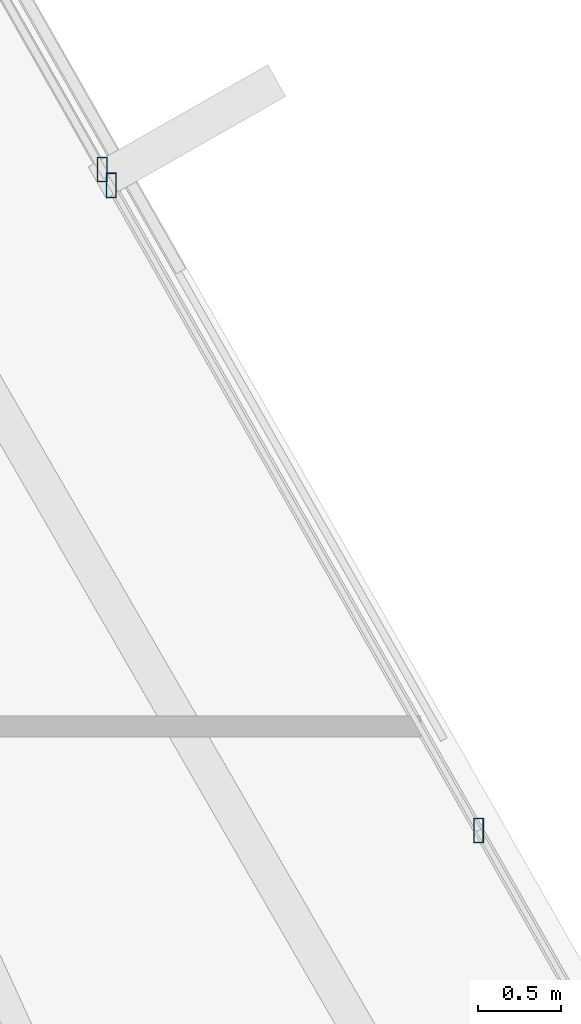
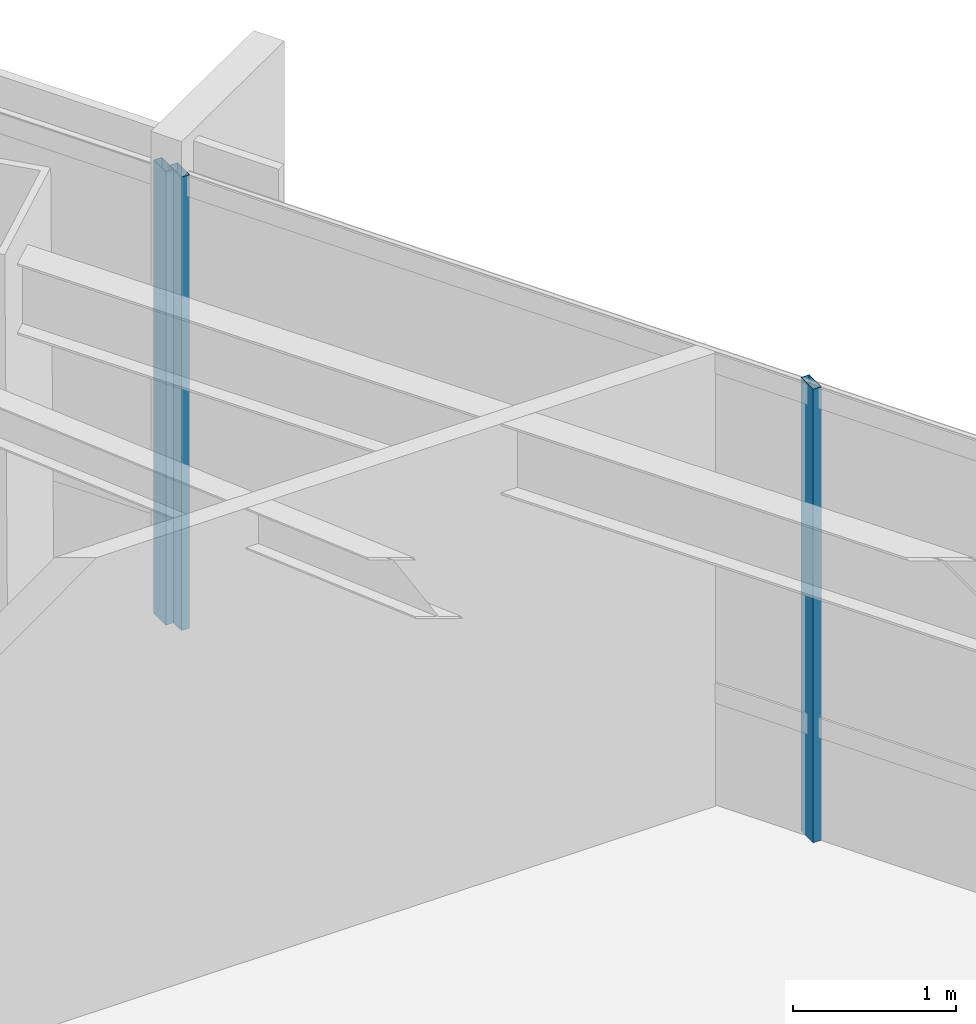
# One storey, part 23 of 38: 3 members, 2 elements without a shape of their own.
"""IFC4 building model written with IfcOpenShell, lengths in metres."""

from ifc_helpers import new_model, si_unit, direction, frame, origin, origin_2d, place, context, subcontext, project, spatial, hollow_rectangle, extrude, source, transform, mapped, material, material_profile, profile_set, type_object, type_shapes, element, aggregate, save


model = new_model("IFC4")

# Units and contexts
model_context = context("Model", 3, precision=1e-05, world=origin(), true_north=direction((0.0, 1.0)))
body_context = subcontext(model_context, "Body", "Model", "MODEL_VIEW")
ifc_project = project(units=[si_unit("LENGTHUNIT", "METRE"), si_unit("AREAUNIT", "SQUARE_METRE"), si_unit("VOLUMEUNIT", "CUBIC_METRE"), si_unit("PLANEANGLEUNIT", "RADIAN"), si_unit("MASSUNIT", "GRAM", prefix="KILO")], contexts=[model_context])

# Site, building, storey
site_placement = place(None, origin())
site = spatial("IfcSite", under=ifc_project, at=site_placement, CompositionType="ELEMENT")
building_placement = place(site_placement, origin())
building = spatial("IfcBuilding", under=site, at=building_placement, Name="Caelisora Broadcast Tower", CompositionType="ELEMENT")
storey_placement = place(building_placement, frame((0.0, 0.0, 154.85009765625)))
storey = spatial("IfcBuildingStorey", under=building, at=storey_placement, Name="L40", CompositionType="ELEMENT", Elevation=154.85009765625)

# Curtain wall, member
ifc_material_1 = material(Name="Unitised Aluminium Insulated Shadow-Box Spandrel Curtain Wall", Category="aluminium")
curtain_wall_type_1 = type_object("IfcCurtainWallType", Name="CW-SP2", PredefinedType="NOTDEFINED", material=ifc_material_1)
curtain_wall_1_placement = place(storey_placement, origin())
curtain_wall_1 = element("IfcCurtainWall", 1, at=curtain_wall_1_placement, inside=storey, type_object=curtain_wall_type_1, Name="L40 curtain wall CW-SP2", PredefinedType="NOTDEFINED")
ifc_material_2 = material(Name="Aluminium 6063-T6 Anodised Terracotta Bronze", Category="aluminium")
ifc_material_profile = material_profile(ifc_material_2, hollow_rectangle(XDim=0.06005859375, YDim=0.14990234375, WallThickness=0.00341796875, at=origin_2d()), Name="Aluminium 6063-T6 Anodised Terracotta Bronze")
ifc_profile_set = profile_set([ifc_material_profile], Name="Aluminium 6063-T6 Anodised Terracotta Bronze")
member_type = type_object("IfcMemberType", Name="CWM-03", PredefinedType="MULLION", material=ifc_profile_set)
shared_shape = source(origin(), body_context, "Body", "SweptSolid", [
    extrude(hollow_rectangle(XDim=0.06005859375, YDim=0.14990234375, WallThickness=0.00341796875, at=origin_2d()), origin(), (0.0, 0.0, 1.0), 3.39990234375),
])
type_shapes(member_type, [shared_shape])
member_1_placement = place(storey_placement, frame((56.588134765625, 27.54296875, 0.0), z_axis=(0.0, 0.0, 1.0), x_axis=(1.0, 0.0, 0.0)))
member_1 = element("IfcMember", 2, at=member_1_placement, type_object=member_type, Name="L40-CW-B02 mullion #3", PredefinedType="MULLION", context=body_context, shape_type="MappedRepresentation", body=[
    mapped(shared_shape, transform((0.0, 0.0, 0.0), scale=1.0)),
])
aggregate(curtain_wall_1, [member_1])

# Curtain wall, members
ifc_material_3 = material(Name="Unitised Aluminium and Low-E Glass Curtain Wall", Category="glass")
curtain_wall_type_2 = type_object("IfcCurtainWallType", Name="CW-Z3", PredefinedType="NOTDEFINED", material=ifc_material_3)
curtain_wall_2_placement = place(storey_placement, origin())
curtain_wall_2 = element("IfcCurtainWall", 3, at=curtain_wall_2_placement, inside=storey, type_object=curtain_wall_type_2, Name="L40 curtain wall CW-Z3", PredefinedType="NOTDEFINED")
member_2_placement = place(storey_placement, frame((56.642578125, 27.447265625, 0.0), z_axis=(0.0, 0.0, 1.0), x_axis=(1.0, 0.0, 0.0)))
member_2 = element("IfcMember", 4, at=member_2_placement, type_object=member_type, Name="L40-CW-B03 mullion #0", PredefinedType="MULLION", context=body_context, shape_type="MappedRepresentation", body=[
    mapped(shared_shape, transform((0.0, 0.0, 0.0), scale=1.0)),
])
member_3_placement = place(storey_placement, frame((58.867431640625, 23.540283203125, 0.0), z_axis=(0.0, 0.0, 1.0), x_axis=(1.0, 0.0, 0.0)))
member_3 = element("IfcMember", 5, at=member_3_placement, type_object=member_type, Name="L40-CW-B03 mullion #1", PredefinedType="MULLION", context=body_context, shape_type="MappedRepresentation", body=[
    mapped(shared_shape, transform((0.0, 0.0, 0.0), scale=1.0)),
])
aggregate(curtain_wall_2, [member_2, member_3])

save(model, "model.ifc")
